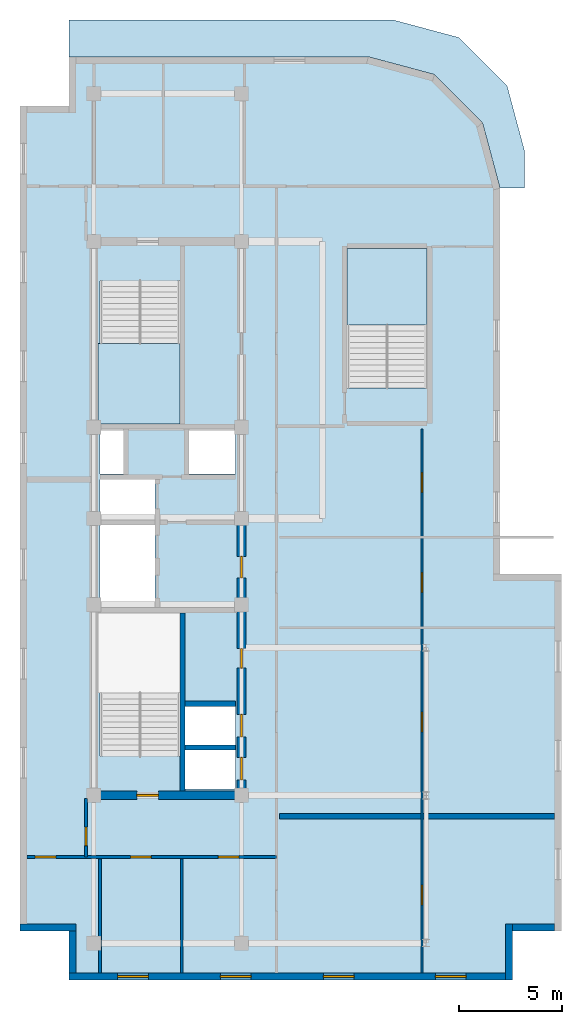
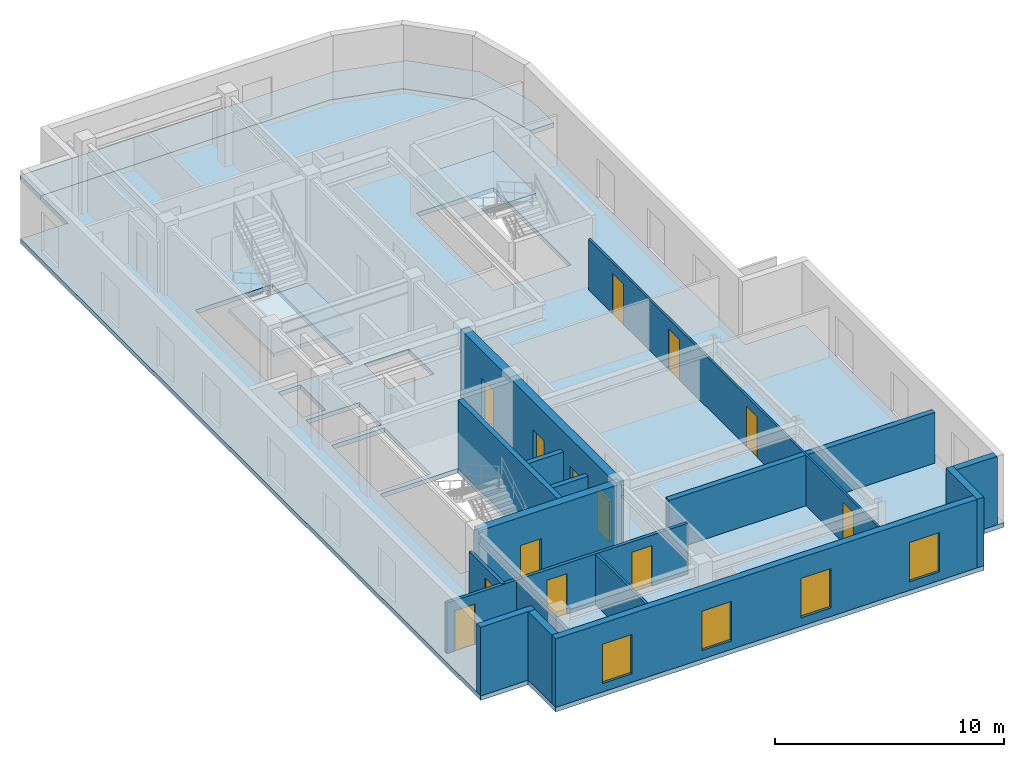
# One storey, part 2 of 5: 16 walls, 13 doors, 4 slabs, 4 windows, 17 openings, 2 elements without a shape of their own.
"""IFC4 building model written with IfcOpenShell, lengths in metres."""

import ifcopenshell
import ifcopenshell.guid

model = None  # the IFC model being written
_history = None  # IfcOwnerHistory: only IFC2X3 demands one
_inside = {}  # id of a spatial element -> (the spatial element, [elements in it])
_under = {}  # id of a project, library or spatial element -> (it, [spatial elements below it])
_declared = {}  # id of a project -> (the project, [libraries it declares])
_typed = {}  # id of a type object -> (the type object, [elements of that type])
_made_of = {}  # id of a material, layer set ... -> (it, [elements and type objects made of it])


def new_model(schema):
    """Start an empty IFC model of exactly this schema.

    Asked for "IFC4X3", IfcOpenShell would pick the latest addendum, in which some entities
    have other attributes; the version numbers below select the first issue.
    IFC2X3 requires an IfcOwnerHistory on every rooted entity: one is made here for all.
    """
    global model, _history
    if schema == "IFC4X3":
        model = ifcopenshell.file(schema_version=(4, 3, 0, 0))
    else:
        model = ifcopenshell.file(schema=schema)
    _inside.clear()
    _under.clear()
    _declared.clear()
    _typed.clear()
    _made_of.clear()
    _history = None
    if model.schema == "IFC2X3":
        org = make("IfcOrganization", Name="unknown")
        user = make(
            "IfcPersonAndOrganization",
            ThePerson=make("IfcPerson", FamilyName="unknown"),
            TheOrganization=org,
        )
        app = make(
            "IfcApplication",
            ApplicationDeveloper=org,
            Version="unknown",
            ApplicationFullName="unknown",
            ApplicationIdentifier="unknown",
        )
        _history = make(
            "IfcOwnerHistory",
            OwningUser=user,
            OwningApplication=app,
            ChangeAction="ADDED",
            CreationDate=0,
        )
    return model


def make(cls, **values):
    """One entity of the class cls with the attributes given. An attribute that is None is left unset."""
    return model.create_entity(
        cls, **{name: value for name, value in values.items() if value is not None}
    )


def entity(cls, *values):
    """Any entity or typed value of the class cls, its attributes in the order of the schema. None: left unset."""
    e = model.create_entity(cls)
    for i, value in enumerate(values):
        if value is not None:
            e[i] = value
    return e


def rooted(cls, **values):
    """An entity with a GlobalId (a new one), such as an element, a storey or a relation."""
    return make(cls, GlobalId=ifcopenshell.guid.new(), OwnerHistory=_history, **values)


def si_unit(unit_type, name, prefix=None):
    """IfcSIUnit, for example si_unit("LENGTHUNIT", "METRE", prefix="MILLI")."""
    return make("IfcSIUnit", UnitType=unit_type, Prefix=prefix, Name=name)


def converted_unit(unit_type, name, factor, base, dimensions=None, offset=None):
    """IfcConversionBasedUnit, such as the inch: factor (a typed value) times the base unit."""
    return make(
        "IfcConversionBasedUnit"
        if offset is None
        else "IfcConversionBasedUnitWithOffset",
        ConversionOffset=offset,
        Dimensions=None
        if dimensions is None
        else entity("IfcDimensionalExponents", *dimensions),
        UnitType=unit_type,
        Name=name,
        ConversionFactor=make(
            "IfcMeasureWithUnit", ValueComponent=factor, UnitComponent=base
        ),
    )


def assignment(units):
    """IfcUnitAssignment: the units of a project."""
    return None if units is None else make("IfcUnitAssignment", Units=units)


def point(xyz):
    """IfcCartesianPoint."""
    return None if xyz is None else make("IfcCartesianPoint", Coordinates=xyz)


def direction(xyz):
    """IfcDirection."""
    return None if xyz is None else make("IfcDirection", DirectionRatios=xyz)


def frame(location, z_axis=None, x_axis=None):
    """IfcAxis2Placement3D, a coordinate frame: its origin and axes. An axis left out is left unset."""
    return make(
        "IfcAxis2Placement3D",
        Location=point(location),
        Axis=direction(z_axis),
        RefDirection=direction(x_axis),
    )


def frame_2d(location, x_axis=None):
    """IfcAxis2Placement2D, a coordinate frame in the plane: its origin and x axis."""
    return make(
        "IfcAxis2Placement2D", Location=point(location), RefDirection=direction(x_axis)
    )


def origin_with_axes():
    """The frame at (0, 0, 0) with the z axis (0, 0, 1) and the x axis (1, 0, 0) written out."""
    return frame((0.0, 0.0, 0.0), z_axis=(0.0, 0.0, 1.0), x_axis=(1.0, 0.0, 0.0))


def origin_2d_with_axis():
    """The frame at (0, 0) in the plane with the x axis (1, 0) written out."""
    return frame_2d((0.0, 0.0), x_axis=(1.0, 0.0))


def place(relative_to, where):
    """IfcLocalPlacement: puts the frame where relative to a parent placement (None: the world)."""
    return make(
        "IfcLocalPlacement", PlacementRelTo=relative_to, RelativePlacement=where
    )


def context(
    kind, dimensions, precision=None, world=None, true_north=None, identifier=None
):
    """IfcGeometricRepresentationContext, for example the 3D "Model" context."""
    return make(
        "IfcGeometricRepresentationContext",
        ContextIdentifier=identifier,
        ContextType=kind,
        CoordinateSpaceDimension=dimensions,
        Precision=precision,
        WorldCoordinateSystem=world,
        TrueNorth=true_north,
    )


def subcontext(parent, identifier, kind, view, scale=None):
    """IfcGeometricRepresentationSubContext, for example "Body" below "Model"."""
    return make(
        "IfcGeometricRepresentationSubContext",
        ContextIdentifier=identifier,
        ContextType=kind,
        ParentContext=parent,
        TargetScale=scale,
        TargetView=view,
    )


def project(units=None, contexts=None):
    """IfcProject with its units and contexts."""
    return rooted(
        "IfcProject",
        Name="project",
        RepresentationContexts=contexts,
        UnitsInContext=assignment(units),
    )


def spatial(cls, under=None, at=None, **own):
    """A site, building, storey or space (cls), placed at a placement, below another one or the project."""
    s = rooted(cls, ObjectPlacement=at, **own)
    if under is not None:
        _under.setdefault(under.id(), (under, []))[1].append(s)
    return s


def polyline(points):
    """IfcPolyline through the points."""
    return make("IfcPolyline", Points=[point(p) for p in points])


def profile(cls, at=None, kind="AREA", **sizes):
    """A parametric profile (cls). Its sizes go by their IFC names, for example OverallWidth=200.0."""
    return make(cls, ProfileType=kind, Position=at, **sizes)


def rectangle(**sizes):
    """IfcRectangleProfileDef."""
    return profile("IfcRectangleProfileDef", **sizes)


def outline(outer, holes=None, kind="AREA"):
    """IfcArbitraryClosedProfileDef: a profile drawn as a closed curve; with holes, ...WithVoids."""
    if holes is None:
        return make("IfcArbitraryClosedProfileDef", ProfileType=kind, OuterCurve=outer)
    return make(
        "IfcArbitraryProfileDefWithVoids",
        ProfileType=kind,
        OuterCurve=outer,
        InnerCurves=holes,
    )


def extrude(swept, where, along, depth):
    """IfcExtrudedAreaSolid: the profile swept, set in the frame where, extruded along a direction by depth."""
    return make(
        "IfcExtrudedAreaSolid",
        SweptArea=swept,
        Position=where,
        ExtrudedDirection=direction(along),
        Depth=depth,
    )


def shape(context_of_items, identifier, shape_type, items):
    """IfcShapeRepresentation: the items that make up one representation, for example the "Body"."""
    return make(
        "IfcShapeRepresentation",
        ContextOfItems=context_of_items,
        RepresentationIdentifier=identifier,
        RepresentationType=shape_type,
        Items=items,
    )


def material(Name=None, Category=None):
    """IfcMaterial."""
    return make("IfcMaterial", Name=Name, Category=Category)


def layer(
    of_material, thickness, ventilated=None, Name=None, Category=None, Priority=None
):
    """IfcMaterialLayer: one layer of a wall or slab, of a material (None: an air gap)."""
    return make(
        "IfcMaterialLayer",
        Material=of_material,
        LayerThickness=thickness,
        IsVentilated=ventilated,
        Name=Name,
        Category=Category,
        Priority=Priority,
    )


def layer_set(layers, Name=None):
    """IfcMaterialLayerSet."""
    return make("IfcMaterialLayerSet", MaterialLayers=layers, LayerSetName=Name)


def made_of(thing, what):
    """Note that an element or type object is made of a material, layer set ...; save() writes the relation."""
    if what is not None:
        _made_of.setdefault(what.id(), (what, []))[1].append(thing)
    return thing


def type_object(cls, material=None, **own):
    """A type object (cls), such as IfcWallType, which elements share."""
    return made_of(rooted(cls, **own), material)


def element(
    cls,
    number,
    at=None,
    inside=None,
    cuts=None,
    type_object=None,
    material=None,
    context=None,
    identifier="Body",
    shape_type=None,
    held_by="IfcProductDefinitionShape",
    body=None,
    shapes=None,
    **own,
):
    """One element of the class cls, such as IfcWall. Its Tag is "e" and its number.

    at: its placement. inside: the storey or other place that contains it. cuts: it is an
    opening in that element (IfcRelVoidsElement). A single representation is given by context,
    identifier, shape_type and body (its items); several are given by shapes. held_by: the class
    of the entity that holds the representations. save() writes the other relations.
    """
    e = rooted(cls, Tag="e%d" % number, ObjectPlacement=at, **own)
    if body is not None:
        shapes = [shape(context, identifier, shape_type, body)]
    if shapes is not None:
        e.Representation = make(held_by, Representations=shapes)
    if inside is not None:
        _inside.setdefault(inside.id(), (inside, []))[1].append(e)
    if cuts is not None:
        rooted(
            "IfcRelVoidsElement", RelatingBuildingElement=cuts, RelatedOpeningElement=e
        )
    if type_object is not None:
        _typed.setdefault(type_object.id(), (type_object, []))[1].append(e)
    return made_of(e, material)


def fill(opening, filler):
    """IfcRelFillsElement: the door or window that sits in an opening."""
    return rooted(
        "IfcRelFillsElement",
        RelatingOpeningElement=opening,
        RelatedBuildingElement=filler,
    )


def aggregate(whole, parts):
    """IfcRelAggregates: a whole, such as a stair, and the parts it consists of."""
    return rooted("IfcRelAggregates", RelatingObject=whole, RelatedObjects=parts)


def save(model, path):
    """Write the relations noted so far, then the file.

    IfcRelAggregates (storeys below a building ...), IfcRelContainedInSpatialStructure (elements
    in a storey), IfcRelDefinesByType, IfcRelAssociatesMaterial and IfcRelDeclares: one each for
    every whole, place, type object, material and project.
    """
    for whole, parts in _under.values():
        aggregate(whole, parts)
    for where, things in _inside.values():
        rooted(
            "IfcRelContainedInSpatialStructure",
            RelatedElements=things,
            RelatingStructure=where,
        )
    for kind, things in _typed.values():
        rooted("IfcRelDefinesByType", RelatedObjects=things, RelatingType=kind)
    for what, things in _made_of.values():
        rooted("IfcRelAssociatesMaterial", RelatedObjects=things, RelatingMaterial=what)
    for by, libraries in _declared.values():
        rooted("IfcRelDeclares", RelatingContext=by, RelatedDefinitions=libraries)
    model.write(path)


model = new_model("IFC4")

# Units and contexts
model_context = context("Model", 3, precision=1e-05, world=origin_with_axes(), true_north=direction((0.0, 1.0)))
body_context = subcontext(model_context, "Body", "Model", "MODEL_VIEW")
ifc_project = project(units=[si_unit("LENGTHUNIT", "METRE"), si_unit("AREAUNIT", "SQUARE_METRE"), si_unit("VOLUMEUNIT", "CUBIC_METRE"), converted_unit("PLANEANGLEUNIT", "DEGREE", entity("IfcPlaneAngleMeasure", 0.017453292519943295), si_unit("PLANEANGLEUNIT", "RADIAN"), dimensions=[0, 0, 0, 0, 0, 0, 0]), si_unit("MASSUNIT", "GRAM", prefix="KILO"), si_unit("THERMODYNAMICTEMPERATUREUNIT", "KELVIN")], contexts=[model_context])

# Site, building, storey
site_placement = place(None, origin_with_axes())
site = spatial("IfcSite", under=ifc_project, at=site_placement, CompositionType="ELEMENT")
building_placement = place(site_placement, origin_with_axes())
building = spatial("IfcBuilding", under=site, at=building_placement, Name="Varnlund Millrace Tower", CompositionType="ELEMENT")
storey_placement = place(building_placement, frame((0.0, 0.0, 295.8), z_axis=(0.0, 0.0, 1.0), x_axis=(1.0, 0.0, 0.0)))
storey = spatial("IfcBuildingStorey", under=building, at=storey_placement, Name="L73", CompositionType="ELEMENT", Elevation=295.8)

# Slabs
ifc_material_1 = material(Name="Concrete C50/60", Category="concrete")
ifc_layer_1 = layer(ifc_material_1, 0.24, Name="Concrete C50/60")
ifc_layer_set_1 = layer_set([ifc_layer_1], Name="Concrete C50/60")
slab_type_1 = type_object("IfcSlabType", Name="Type-Cap-Deck-Setback-240", PredefinedType="ROOF", material=ifc_layer_set_1)
slab_1_placement = place(storey_placement, frame((0.0, 0.0, -0.24), z_axis=(0.0, 0.0, 1.0), x_axis=(1.0, 0.0, 0.0)))
element("IfcSlab", 1, at=slab_1_placement, inside=storey, type_object=slab_type_1, Name="Type-Cap-Deck-Setback-240", PredefinedType="ROOF", context=body_context, shape_type="SweptSolid", body=[
    extrude(outline(polyline([(26.0, 48.6), (10.2, 48.6), (10.2, 46.8), (24.8, 46.8), (28.0, 45.943), (30.343, 43.6), (31.2, 40.4), (32.4, 40.4), (32.4, 42.2), (31.543, 45.4), (29.2, 47.743), (26.0, 48.6)])), origin_with_axes(), (0.0, 0.0, 1.0), 0.24),
])
ifc_material_2 = material(Name="Concrete C60/75", Category="concrete")
ifc_layer_2 = layer(ifc_material_2, 0.24, Name="Concrete C60/75")
ifc_layer_set_2 = layer_set([ifc_layer_2], Name="Concrete C60/75")
slab_type_2 = type_object("IfcSlabType", Name="Type-Deck-Plate-Typical-240", PredefinedType="FLOOR", material=ifc_layer_set_2)
slab_2_placement = place(storey_placement, frame((0.0, 0.0, -0.24), z_axis=(0.0, 0.0, 1.0), x_axis=(1.0, 0.0, 0.0)))
element("IfcSlab", 2, at=slab_2_placement, inside=storey, type_object=slab_type_2, Name="Type-Deck-Plate-Typical-240", PredefinedType="FLOOR", context=body_context, shape_type="SweptSolid", body=[
    extrude(outline(polyline([(34.2, 21.6), (31.2, 21.6), (31.2, 40.4), (30.343, 43.6), (28.0, 45.943), (24.8, 46.8), (10.2, 46.8), (10.2, 44.4), (7.8, 44.4), (7.8, 4.2), (10.2, 4.2), (10.2, 1.8), (31.8, 1.8), (31.8, 4.2), (34.2, 4.2), (34.2, 21.6)]), holes=[polyline([(18.3, 13.1), (18.3, 11.1), (15.84, 11.1), (15.84, 13.1), (18.3, 13.1)]), polyline([(18.3, 15.24), (18.3, 13.16), (15.84, 13.16), (15.84, 15.24), (18.3, 15.24)]), polyline([(15.6, 19.7), (15.6, 12.715), (11.7, 12.715), (11.7, 19.7), (15.6, 19.7)]), polyline([(11.7, 23.98), (14.38, 23.98), (14.38, 19.94), (11.7, 19.94), (11.7, 23.98)]), polyline([(14.38, 26.2), (14.38, 24.24), (11.7, 24.24), (11.7, 26.2), (14.38, 26.2)]), polyline([(12.84, 28.65), (12.84, 26.46), (11.7, 26.46), (11.7, 28.65), (12.84, 28.65)]), polyline([(18.3, 28.65), (18.3, 26.46), (16.04, 26.46), (16.04, 28.65), (18.3, 28.65)]), polyline([(15.6, 28.9), (11.7, 28.9), (11.7, 35.885), (15.6, 35.885), (15.6, 28.9)]), polyline([(27.65, 30.665), (23.75, 30.665), (23.75, 37.45), (27.65, 37.45), (27.65, 30.665)])]), origin_with_axes(), (0.0, 0.0, 1.0), 0.24),
])

# Stair, slab
stair_type = type_object("IfcStairType", Name="Type-Stair-Dogleg-185-390", PredefinedType="HALF_TURN_STAIR", material=ifc_material_1)
stair_1_placement = place(storey_placement, origin_with_axes())
stair_1 = element("IfcStair", 3, at=stair_1_placement, inside=storey, type_object=stair_type, Name="Type-Stair-Dogleg-185-390", PredefinedType="HALF_TURN_STAIR")
ifc_layer_3 = layer(ifc_material_1, 0.2, Name="Concrete C50/60")
ifc_layer_set_3 = layer_set([ifc_layer_3], Name="Concrete C50/60")
slab_type_3 = type_object("IfcSlabType", Name="Type-StairLanding-200", PredefinedType="LANDING", material=ifc_layer_set_3)
slab_3_placement = place(storey_placement, frame((0.0, 0.0, 1.75), z_axis=(0.0, 0.0, 1.0), x_axis=(1.0, 0.0, 0.0)))
slab_3 = element("IfcSlab", 4, at=slab_3_placement, type_object=slab_type_3, Name="ST-A2 landing 1", PredefinedType="LANDING", context=body_context, shape_type="SweptSolid", body=[
    extrude(outline(polyline([(11.61, 32.82), (11.61, 28.9), (15.6, 28.9), (15.6, 32.82), (11.61, 32.82)])), origin_with_axes(), (0.0, 0.0, 1.0), 0.2),
])
aggregate(stair_1, [slab_3])

stair_2_placement = place(storey_placement, origin_with_axes())
stair_2 = element("IfcStair", 5, at=stair_2_placement, inside=storey, type_object=stair_type, Name="Type-Stair-Dogleg-185-390", PredefinedType="HALF_TURN_STAIR")
slab_4_placement = place(storey_placement, frame((0.0, 0.0, 1.75), z_axis=(0.0, 0.0, 1.0), x_axis=(1.0, 0.0, 0.0)))
slab_4 = element("IfcSlab", 6, at=slab_4_placement, type_object=slab_type_3, Name="ST-A3 landing 1", PredefinedType="LANDING", context=body_context, shape_type="SweptSolid", body=[
    extrude(outline(polyline([(27.65, 33.73), (27.65, 37.45), (23.75, 37.45), (23.75, 33.73), (27.65, 33.73)])), origin_with_axes(), (0.0, 0.0, 1.0), 0.2),
])
aggregate(stair_2, [slab_4])

# Wall, opening, door
ifc_layer_4 = layer(ifc_material_2, 0.42, Name="Concrete C60/75")
ifc_layer_set_4 = layer_set([ifc_layer_4], Name="Concrete C60/75")
wall_type_1 = type_object("IfcWallType", Name="Type-CoreWall-Shear-420-C60", PredefinedType="SHEAR", material=ifc_layer_set_4)
wall_1_placement = place(storey_placement, frame((11.4, 10.8, 0.0), z_axis=(0.0, 0.0, 1.0), x_axis=(1.0, 0.0, 0.0)))
wall_1 = element("IfcWall", 7, at=wall_1_placement, inside=storey, type_object=wall_type_1, Name="Type-CoreWall-Shear-420-C60", PredefinedType="SHEAR", context=body_context, shape_type="SweptSolid", body=[
    extrude(outline(polyline([(0.0, -0.21), (7.2, -0.21), (7.2, 0.21), (0.0, 0.21), (0.0, -0.21)])), origin_with_axes(), (0.0, 0.0, 1.0), 3.66),
])
opening_1_placement = place(wall_1_placement, frame((2.625, 0.0, 0.0), z_axis=(0.0, 0.0, 1.0), x_axis=(1.0, 0.0, 0.0)))
opening_1 = element("IfcOpeningElement", 8, at=opening_1_placement, cuts=wall_1, Name="Opening L73:DR-STA1", PredefinedType="OPENING", context=body_context, shape_type="SweptSolid", body=[
    extrude(rectangle(XDim=1.05, YDim=0.44, at=origin_2d_with_axis()), origin_with_axes(), (0.0, 0.0, 1.0), 2.15),
])
ifc_material_3 = material(Name="Fire-rated hollow steel door", Category="steel")
door_type_1 = type_object("IfcDoorType", Name="Type-FireDoor-Stair-1050X2150", OperationType="NOTDEFINED", PredefinedType="DOOR", material=ifc_material_3)
door_1_placement = place(wall_1_placement, frame((2.625, 0.0, 0.0), z_axis=(0.0, 0.0, 1.0), x_axis=(1.0, 0.0, 0.0)))
door_1 = element("IfcDoor", 9, at=door_1_placement, inside=storey, type_object=door_type_1, Name="Type-FireDoor-Stair-1050X2150", OperationType="SINGLE_SWING_LEFT", OverallHeight=2.15, OverallWidth=1.05, PredefinedType="DOOR", context=body_context, shape_type="SweptSolid", body=[
    extrude(rectangle(XDim=1.05, YDim=0.09, at=origin_2d_with_axis()), origin_with_axes(), (0.0, 0.0, 1.0), 2.15),
])
fill(opening_1, door_1)

# Wall, openings, doors
wall_2_placement = place(storey_placement, frame((18.6, 10.8, 0.0), z_axis=(0.0, 0.0, 1.0), x_axis=(0.0, 1.0, 0.0)))
wall_2 = element("IfcWall", 10, at=wall_2_placement, inside=storey, type_object=wall_type_1, Name="Type-CoreWall-Shear-420-C60", PredefinedType="SHEAR", context=body_context, shape_type="SweptSolid", body=[
    extrude(outline(polyline([(0.0, -0.21), (13.5, -0.21), (13.5, 0.21), (0.0, 0.21), (0.0, -0.21)])), origin_with_axes(), (0.0, 0.0, 1.0), 3.66),
])
opening_2_placement = place(wall_2_placement, frame((1.3, 0.0, 0.0), z_axis=(0.0, 0.0, 1.0), x_axis=(1.0, 0.0, 0.0)))
opening_2 = element("IfcOpeningElement", 11, at=opening_2_placement, cuts=wall_2, Name="Opening L73:LD-ELV-H1", PredefinedType="OPENING", context=body_context, shape_type="SweptSolid", body=[
    extrude(rectangle(XDim=1.1, YDim=0.44, at=origin_2d_with_axis()), origin_with_axes(), (0.0, 0.0, 1.0), 2.15),
])
opening_3_placement = place(wall_2_placement, frame((3.4, 0.0, 0.0), z_axis=(0.0, 0.0, 1.0), x_axis=(1.0, 0.0, 0.0)))
opening_3 = element("IfcOpeningElement", 12, at=opening_3_placement, cuts=wall_2, Name="Opening L73:LD-ELV-H2", PredefinedType="OPENING", context=body_context, shape_type="SweptSolid", body=[
    extrude(rectangle(XDim=1.1, YDim=0.44, at=origin_2d_with_axis()), origin_with_axes(), (0.0, 0.0, 1.0), 2.15),
])
opening_4_placement = place(wall_2_placement, frame((11.125, 0.0, 0.0), z_axis=(0.0, 0.0, 1.0), x_axis=(1.0, 0.0, 0.0)))
opening_4 = element("IfcOpeningElement", 13, at=opening_4_placement, cuts=wall_2, Name="Opening L73:DR-FFLOB-A", PredefinedType="OPENING", context=body_context, shape_type="SweptSolid", body=[
    extrude(rectangle(XDim=1.05, YDim=0.44, at=origin_2d_with_axis()), origin_with_axes(), (0.0, 0.0, 1.0), 2.15),
])
opening_5_placement = place(wall_2_placement, frame((6.675, 0.0, 0.0), z_axis=(0.0, 0.0, 1.0), x_axis=(1.0, 0.0, 0.0)))
opening_5 = element("IfcOpeningElement", 14, at=opening_5_placement, cuts=wall_2, Name="Opening L73:DR-RECL-S1AB", PredefinedType="OPENING", context=body_context, shape_type="SweptSolid", body=[
    extrude(rectangle(XDim=0.95, YDim=0.44, at=origin_2d_with_axis()), origin_with_axes(), (0.0, 0.0, 1.0), 2.15),
])
ifc_material_4 = material(Name="Smoke-barrier hollow steel fire door", Category="steel")
door_type_2 = type_object("IfcDoorType", Name="Type-FireDoor-Lobby-1050X2150", OperationType="NOTDEFINED", PredefinedType="DOOR", material=ifc_material_4)
door_2_placement = place(wall_2_placement, frame((11.125, 0.0, 0.0), z_axis=(0.0, 0.0, 1.0), x_axis=(1.0, 0.0, 0.0)))
door_2 = element("IfcDoor", 15, at=door_2_placement, inside=storey, type_object=door_type_2, Name="Type-FireDoor-Lobby-1050X2150", OperationType="SINGLE_SWING_LEFT", OverallHeight=2.15, OverallWidth=1.05, PredefinedType="DOOR", context=body_context, shape_type="SweptSolid", body=[
    extrude(rectangle(XDim=1.05, YDim=0.09, at=origin_2d_with_axis()), origin_with_axes(), (0.0, 0.0, 1.0), 2.15),
])
fill(opening_4, door_2)
ifc_material_5 = material(Name="Fire-rated hollow steel core service door", Category="steel")
door_type_3 = type_object("IfcDoorType", Name="Type-FireDoor-Service-950X2150", OperationType="NOTDEFINED", PredefinedType="DOOR", material=ifc_material_5)
door_3_placement = place(wall_2_placement, frame((6.675, 0.0, 0.0), z_axis=(0.0, 0.0, 1.0), x_axis=(1.0, 0.0, 0.0)))
door_3 = element("IfcDoor", 16, at=door_3_placement, inside=storey, type_object=door_type_3, Name="Type-FireDoor-Service-950X2150", OperationType="SINGLE_SWING_LEFT", OverallHeight=2.15, OverallWidth=0.95, PredefinedType="DOOR", context=body_context, shape_type="SweptSolid", body=[
    extrude(rectangle(XDim=0.95, YDim=0.09, at=origin_2d_with_axis()), origin_with_axes(), (0.0, 0.0, 1.0), 2.15),
])
fill(opening_5, door_3)
ifc_material_6 = material(Name="Stainless and architectural bronze sliding landing door")
door_type_4 = type_object("IfcDoorType", Name="Type-LiftLandingDoor-1100X2150", OperationType="NOTDEFINED", PredefinedType="DOOR", material=ifc_material_6)
door_4_placement = place(wall_2_placement, frame((1.3, 0.0, 0.0), z_axis=(0.0, 0.0, 1.0), x_axis=(1.0, 0.0, 0.0)))
door_4 = element("IfcDoor", 17, at=door_4_placement, inside=storey, type_object=door_type_4, Name="Type-LiftLandingDoor-1100X2150", OperationType="SLIDING_TO_LEFT", OverallHeight=2.15, OverallWidth=1.1, PredefinedType="DOOR", context=body_context, shape_type="SweptSolid", body=[
    extrude(rectangle(XDim=1.1, YDim=0.09, at=origin_2d_with_axis()), origin_with_axes(), (0.0, 0.0, 1.0), 2.15),
])
fill(opening_2, door_4)
door_5_placement = place(wall_2_placement, frame((3.4, 0.0, 0.0), z_axis=(0.0, 0.0, 1.0), x_axis=(1.0, 0.0, 0.0)))
door_5 = element("IfcDoor", 18, at=door_5_placement, inside=storey, type_object=door_type_4, Name="Type-LiftLandingDoor-1100X2150", OperationType="SLIDING_TO_RIGHT", OverallHeight=2.15, OverallWidth=1.1, PredefinedType="DOOR", context=body_context, shape_type="SweptSolid", body=[
    extrude(rectangle(XDim=1.1, YDim=0.09, at=origin_2d_with_axis()), origin_with_axes(), (0.0, 0.0, 1.0), 2.15),
])
fill(opening_3, door_5)

# Walls
ifc_material_7 = material(Name="Precast concrete C50/60", Category="concrete")
ifc_layer_5 = layer(ifc_material_7, 0.34, Name="Precast concrete C50/60")
ifc_layer_set_5 = layer_set([ifc_layer_5], Name="Precast concrete C50/60")
wall_type_2 = type_object("IfcWallType", Name="Type-ExtWall-Precast-Upper-340", PredefinedType="SOLIDWALL", material=ifc_layer_set_5)
wall_3_placement = place(storey_placement, frame((33.86, 4.37, 0.0), z_axis=(0.0, 0.0, 1.0), x_axis=(-1.0, 0.0, 0.0)))
element("IfcWall", 19, at=wall_3_placement, inside=storey, type_object=wall_type_2, Name="Type-ExtWall-Precast-Upper-340", PredefinedType="SOLIDWALL", context=body_context, shape_type="SweptSolid", body=[
    extrude(outline(polyline([(0.0, -0.17), (2.06, -0.17), (2.06, 0.17), (0.0, 0.17), (0.0, -0.17)])), origin_with_axes(), (0.0, 0.0, 1.0), 3.66),
])
wall_4_placement = place(storey_placement, frame((31.63, 4.54, 0.0), z_axis=(0.0, 0.0, 1.0), x_axis=(0.0, -1.0, 0.0)))
element("IfcWall", 20, at=wall_4_placement, inside=storey, type_object=wall_type_2, Name="Type-ExtWall-Precast-Upper-340", PredefinedType="SOLIDWALL", context=body_context, shape_type="SweptSolid", body=[
    extrude(outline(polyline([(0.0, -0.17), (2.74, -0.17), (2.74, 0.17), (0.0, 0.17), (0.0, -0.17)])), origin_with_axes(), (0.0, 0.0, 1.0), 3.66),
])

# Wall, openings, windows
wall_5_placement = place(storey_placement, frame((31.46, 1.97, 0.0), z_axis=(0.0, 0.0, 1.0), x_axis=(-1.0, 0.0, 0.0)))
wall_5 = element("IfcWall", 21, at=wall_5_placement, inside=storey, type_object=wall_type_2, Name="Type-ExtWall-Precast-Upper-340", PredefinedType="SOLIDWALL", context=body_context, shape_type="SweptSolid", body=[
    extrude(outline(polyline([(0.0, -0.17), (21.26, -0.17), (21.26, 0.17), (0.0, 0.17), (0.0, -0.17)])), origin_with_axes(), (0.0, 0.0, 1.0), 3.66),
])
opening_6_placement = place(wall_5_placement, frame((2.658, 0.0, 0.45), z_axis=(0.0, 0.0, 1.0), x_axis=(1.0, 0.0, 0.0)))
opening_6 = element("IfcOpeningElement", 22, at=opening_6_placement, cuts=wall_5, Name="Opening L73:WN-01", PredefinedType="OPENING", context=body_context, shape_type="SweptSolid", body=[
    extrude(rectangle(XDim=1.5, YDim=0.36, at=origin_2d_with_axis()), origin_with_axes(), (0.0, 0.0, 1.0), 2.1),
])
opening_7_placement = place(wall_5_placement, frame((8.123, 0.0, 0.45), z_axis=(0.0, 0.0, 1.0), x_axis=(1.0, 0.0, 0.0)))
opening_7 = element("IfcOpeningElement", 23, at=opening_7_placement, cuts=wall_5, Name="Opening L73:WN-02", PredefinedType="OPENING", context=body_context, shape_type="SweptSolid", body=[
    extrude(rectangle(XDim=1.5, YDim=0.36, at=origin_2d_with_axis()), origin_with_axes(), (0.0, 0.0, 1.0), 2.1),
])
opening_8_placement = place(wall_5_placement, frame((13.138, 0.0, 0.45), z_axis=(0.0, 0.0, 1.0), x_axis=(1.0, 0.0, 0.0)))
opening_8 = element("IfcOpeningElement", 24, at=opening_8_placement, cuts=wall_5, Name="Opening L73:WN-03", PredefinedType="OPENING", context=body_context, shape_type="SweptSolid", body=[
    extrude(rectangle(XDim=1.5, YDim=0.36, at=origin_2d_with_axis()), origin_with_axes(), (0.0, 0.0, 1.0), 2.1),
])
opening_9_placement = place(wall_5_placement, frame((18.153, 0.0, 0.45), z_axis=(0.0, 0.0, 1.0), x_axis=(1.0, 0.0, 0.0)))
opening_9 = element("IfcOpeningElement", 25, at=opening_9_placement, cuts=wall_5, Name="Opening L73:WN-04", PredefinedType="OPENING", context=body_context, shape_type="SweptSolid", body=[
    extrude(rectangle(XDim=1.5, YDim=0.36, at=origin_2d_with_axis()), origin_with_axes(), (0.0, 0.0, 1.0), 2.1),
])
ifc_material_8 = material(Name="Argon low-e triple glazing in thermally broken bronze frame", Category="glass")
window_type = type_object("IfcWindowType", Name="Type-Window-Punched-1500X2100", PartitioningType="SINGLE_PANEL", PredefinedType="WINDOW", material=ifc_material_8)
window_1_placement = place(wall_5_placement, frame((2.658, 0.0, 0.45), z_axis=(0.0, 0.0, 1.0), x_axis=(1.0, 0.0, 0.0)))
window_1 = element("IfcWindow", 26, at=window_1_placement, inside=storey, type_object=window_type, Name="Type-Window-Punched-1500X2100", OverallHeight=2.1, OverallWidth=1.5, PredefinedType="WINDOW", context=body_context, shape_type="SweptSolid", body=[
    extrude(rectangle(XDim=1.5, YDim=0.09, at=origin_2d_with_axis()), origin_with_axes(), (0.0, 0.0, 1.0), 2.1),
])
fill(opening_6, window_1)
window_2_placement = place(wall_5_placement, frame((8.123, 0.0, 0.45), z_axis=(0.0, 0.0, 1.0), x_axis=(1.0, 0.0, 0.0)))
window_2 = element("IfcWindow", 27, at=window_2_placement, inside=storey, type_object=window_type, Name="Type-Window-Punched-1500X2100", OverallHeight=2.1, OverallWidth=1.5, PredefinedType="WINDOW", context=body_context, shape_type="SweptSolid", body=[
    extrude(rectangle(XDim=1.5, YDim=0.09, at=origin_2d_with_axis()), origin_with_axes(), (0.0, 0.0, 1.0), 2.1),
])
fill(opening_7, window_2)
window_3_placement = place(wall_5_placement, frame((13.138, 0.0, 0.45), z_axis=(0.0, 0.0, 1.0), x_axis=(1.0, 0.0, 0.0)))
window_3 = element("IfcWindow", 28, at=window_3_placement, inside=storey, type_object=window_type, Name="Type-Window-Punched-1500X2100", OverallHeight=2.1, OverallWidth=1.5, PredefinedType="WINDOW", context=body_context, shape_type="SweptSolid", body=[
    extrude(rectangle(XDim=1.5, YDim=0.09, at=origin_2d_with_axis()), origin_with_axes(), (0.0, 0.0, 1.0), 2.1),
])
fill(opening_8, window_3)
window_4_placement = place(wall_5_placement, frame((18.153, 0.0, 0.45), z_axis=(0.0, 0.0, 1.0), x_axis=(1.0, 0.0, 0.0)))
window_4 = element("IfcWindow", 29, at=window_4_placement, inside=storey, type_object=window_type, Name="Type-Window-Punched-1500X2100", OverallHeight=2.1, OverallWidth=1.5, PredefinedType="WINDOW", context=body_context, shape_type="SweptSolid", body=[
    extrude(rectangle(XDim=1.5, YDim=0.09, at=origin_2d_with_axis()), origin_with_axes(), (0.0, 0.0, 1.0), 2.1),
])
fill(opening_9, window_4)

# Walls
wall_6_placement = place(storey_placement, frame((10.37, 2.14, 0.0), z_axis=(0.0, 0.0, 1.0), x_axis=(0.0, 1.0, 0.0)))
element("IfcWall", 30, at=wall_6_placement, inside=storey, type_object=wall_type_2, Name="Type-ExtWall-Precast-Upper-340", PredefinedType="SOLIDWALL", context=body_context, shape_type="SweptSolid", body=[
    extrude(outline(polyline([(0.0, -0.17), (2.06, -0.17), (2.06, 0.17), (0.0, 0.17), (0.0, -0.17)])), origin_with_axes(), (0.0, 0.0, 1.0), 3.66),
])
wall_7_placement = place(storey_placement, frame((10.54, 4.37, 0.0), z_axis=(0.0, 0.0, 1.0), x_axis=(-1.0, 0.0, 0.0)))
element("IfcWall", 31, at=wall_7_placement, inside=storey, type_object=wall_type_2, Name="Type-ExtWall-Precast-Upper-340", PredefinedType="SOLIDWALL", context=body_context, shape_type="SweptSolid", body=[
    extrude(outline(polyline([(0.0, -0.17), (2.74, -0.17), (2.74, 0.17), (0.0, 0.17), (0.0, -0.17)])), origin_with_axes(), (0.0, 0.0, 1.0), 3.66),
])
ifc_material_9 = material(Name="Double-stud STC-60 conference acoustic partition", Category="gypsum")
ifc_layer_6 = layer(ifc_material_9, 0.28, Name="Double-stud STC-60 conference acoustic partition")
ifc_layer_set_6 = layer_set([ifc_layer_6], Name="Double-stud STC-60 conference acoustic partition")
wall_type_3 = type_object("IfcWallType", Name="Type-Partition-Acoustic-280", PredefinedType="PARTITIONING", material=ifc_layer_set_6)
wall_8_placement = place(storey_placement, frame((20.45, 9.778, 0.0), z_axis=(0.0, 0.0, 1.0), x_axis=(1.0, 0.0, 0.0)))
element("IfcWall", 32, at=wall_8_placement, inside=storey, type_object=wall_type_3, Name="Type-Partition-Acoustic-280", PredefinedType="PARTITIONING", context=body_context, shape_type="SweptSolid", body=[
    extrude(outline(polyline([(0.0, -0.14), (13.415, -0.14), (13.415, 0.14), (0.0, 0.14), (0.0, -0.14)])), origin_with_axes(), (0.0, 0.0, 1.0), 2.7),
])

# Wall, openings, doors
ifc_material_10 = material(Name="Fire-rated gypsum board on cold-formed steel framing", Category="steel")
ifc_layer_7 = layer(ifc_material_10, 0.16, Name="Fire-rated gypsum board on cold-formed steel framing")
ifc_layer_set_7 = layer_set([ifc_layer_7], Name="Fire-rated gypsum board on cold-formed steel framing")
wall_type_4 = type_object("IfcWallType", Name="Type-Partition-Corridor-160", PredefinedType="PARTITIONING", material=ifc_layer_set_7)
wall_9_placement = place(storey_placement, frame((8.135, 7.8, 0.0), z_axis=(0.0, 0.0, 1.0), x_axis=(1.0, 0.0, 0.0)))
wall_9 = element("IfcWall", 33, at=wall_9_placement, inside=storey, type_object=wall_type_4, Name="Type-Partition-Corridor-160", PredefinedType="PARTITIONING", context=body_context, shape_type="SweptSolid", body=[
    extrude(outline(polyline([(0.0, -0.08), (12.165, -0.08), (12.165, 0.08), (0.0, 0.08), (0.0, -0.08)])), origin_with_axes(), (0.0, 0.0, 1.0), 2.7),
])
opening_10_placement = place(wall_9_placement, frame((0.908, 0.0, 0.0), z_axis=(0.0, 0.0, 1.0), x_axis=(1.0, 0.0, 0.0)))
opening_10 = element("IfcOpeningElement", 34, at=opening_10_placement, cuts=wall_9, Name="Opening L73:DR-WAS-01", PredefinedType="OPENING", context=body_context, shape_type="SweptSolid", body=[
    extrude(rectangle(XDim=1.0, YDim=0.18, at=origin_2d_with_axis()), origin_with_axes(), (0.0, 0.0, 1.0), 2.15),
])
opening_11_placement = place(wall_9_placement, frame((5.5555, 0.0, 0.0), z_axis=(0.0, 0.0, 1.0), x_axis=(1.0, 0.0, 0.0)))
opening_11 = element("IfcOpeningElement", 35, at=opening_11_placement, cuts=wall_9, Name="Opening L73:DR-WAS-02", PredefinedType="OPENING", context=body_context, shape_type="SweptSolid", body=[
    extrude(rectangle(XDim=1.0, YDim=0.18, at=origin_2d_with_axis()), origin_with_axes(), (0.0, 0.0, 1.0), 2.15),
])
opening_12_placement = place(wall_9_placement, frame((9.8325, 0.0, 0.0), z_axis=(0.0, 0.0, 1.0), x_axis=(1.0, 0.0, 0.0)))
opening_12 = element("IfcOpeningElement", 36, at=opening_12_placement, cuts=wall_9, Name="Opening L73:DR-WAS-03", PredefinedType="OPENING", context=body_context, shape_type="SweptSolid", body=[
    extrude(rectangle(XDim=1.0, YDim=0.18, at=origin_2d_with_axis()), origin_with_axes(), (0.0, 0.0, 1.0), 2.15),
])
ifc_material_11 = material(Name="Solid-core white oak and bronze frame door")
door_type_5 = type_object("IfcDoorType", Name="Type-IntDoor-Office-1000X2150", OperationType="NOTDEFINED", PredefinedType="DOOR", material=ifc_material_11)
door_6_placement = place(wall_9_placement, frame((0.908, 0.0, 0.0), z_axis=(0.0, 0.0, 1.0), x_axis=(1.0, 0.0, 0.0)))
door_6 = element("IfcDoor", 37, at=door_6_placement, inside=storey, type_object=door_type_5, Name="Type-IntDoor-Office-1000X2150", OperationType="SINGLE_SWING_LEFT", OverallHeight=2.15, OverallWidth=1.0, PredefinedType="DOOR", context=body_context, shape_type="SweptSolid", body=[
    extrude(rectangle(XDim=1.0, YDim=0.09, at=origin_2d_with_axis()), origin_with_axes(), (0.0, 0.0, 1.0), 2.15),
])
fill(opening_10, door_6)
door_7_placement = place(wall_9_placement, frame((5.5555, 0.0, 0.0), z_axis=(0.0, 0.0, 1.0), x_axis=(1.0, 0.0, 0.0)))
door_7 = element("IfcDoor", 38, at=door_7_placement, inside=storey, type_object=door_type_5, Name="Type-IntDoor-Office-1000X2150", OperationType="SINGLE_SWING_RIGHT", OverallHeight=2.15, OverallWidth=1.0, PredefinedType="DOOR", context=body_context, shape_type="SweptSolid", body=[
    extrude(rectangle(XDim=1.0, YDim=0.09, at=origin_2d_with_axis()), origin_with_axes(), (0.0, 0.0, 1.0), 2.15),
])
fill(opening_11, door_7)
door_8_placement = place(wall_9_placement, frame((9.8325, 0.0, 0.0), z_axis=(0.0, 0.0, 1.0), x_axis=(1.0, 0.0, 0.0)))
door_8 = element("IfcDoor", 39, at=door_8_placement, inside=storey, type_object=door_type_5, Name="Type-IntDoor-Office-1000X2150", OperationType="SINGLE_SWING_LEFT", OverallHeight=2.15, OverallWidth=1.0, PredefinedType="DOOR", context=body_context, shape_type="SweptSolid", body=[
    extrude(rectangle(XDim=1.0, YDim=0.09, at=origin_2d_with_axis()), origin_with_axes(), (0.0, 0.0, 1.0), 2.15),
])
fill(opening_12, door_8)

# Wall, opening, door
wall_10_placement = place(storey_placement, frame((11.02, 7.8, 0.0), z_axis=(0.0, 0.0, 1.0), x_axis=(0.0, 1.0, 0.0)))
wall_10 = element("IfcWall", 40, at=wall_10_placement, inside=storey, type_object=wall_type_4, Name="Type-Partition-Corridor-160", PredefinedType="PARTITIONING", context=body_context, shape_type="SweptSolid", body=[
    extrude(outline(polyline([(0.0, -0.08), (2.85, -0.08), (2.85, 0.08), (0.0, 0.08), (0.0, -0.08)])), origin_with_axes(), (0.0, 0.0, 1.0), 2.7),
])
opening_13_placement = place(wall_10_placement, frame((1.0, 0.0, 0.0), z_axis=(0.0, 0.0, 1.0), x_axis=(1.0, 0.0, 0.0)))
opening_13 = element("IfcOpeningElement", 41, at=opening_13_placement, cuts=wall_10, Name="Opening L73:DR-WU-S1", PredefinedType="OPENING", context=body_context, shape_type="SweptSolid", body=[
    extrude(rectangle(XDim=0.9, YDim=0.18, at=origin_2d_with_axis()), origin_with_axes(), (0.0, 0.0, 1.0), 2.15),
])
ifc_material_12 = material(Name="Painted steel riser and closet door", Category="steel")
door_type_6 = type_object("IfcDoorType", Name="Type-IntDoor-Closet-900X2150", OperationType="NOTDEFINED", PredefinedType="DOOR", material=ifc_material_12)
door_9_placement = place(wall_10_placement, frame((1.0, 0.0, 0.0), z_axis=(0.0, 0.0, 1.0), x_axis=(1.0, 0.0, 0.0)))
door_9 = element("IfcDoor", 42, at=door_9_placement, inside=storey, type_object=door_type_6, Name="Type-IntDoor-Closet-900X2150", OperationType="SINGLE_SWING_LEFT", OverallHeight=2.15, OverallWidth=0.9, PredefinedType="DOOR", context=body_context, shape_type="SweptSolid", body=[
    extrude(rectangle(XDim=0.9, YDim=0.09, at=origin_2d_with_axis()), origin_with_axes(), (0.0, 0.0, 1.0), 2.15),
])
fill(opening_13, door_9)

# Wall
ifc_material_13 = material(Name="Acoustic STC-50 gypsum board partition", Category="gypsum")
ifc_layer_8 = layer(ifc_material_13, 0.15, Name="Acoustic STC-50 gypsum board partition")
ifc_layer_set_8 = layer_set([ifc_layer_8], Name="Acoustic STC-50 gypsum board partition")
wall_type_5 = type_object("IfcWallType", Name="Type-Partition-Demising-150", PredefinedType="PARTITIONING", material=ifc_layer_set_8)
wall_11_placement = place(storey_placement, frame((11.696, 2.135, 0.0), z_axis=(0.0, 0.0, 1.0), x_axis=(0.0, 1.0, 0.0)))
element("IfcWall", 43, at=wall_11_placement, inside=storey, type_object=wall_type_5, Name="Type-Partition-Demising-150", PredefinedType="PARTITIONING", context=body_context, shape_type="SweptSolid", body=[
    extrude(outline(polyline([(0.0, -0.075), (5.565, -0.075), (5.565, 0.075), (0.0, 0.075), (0.0, -0.075)])), origin_with_axes(), (0.0, 0.0, 1.0), 2.7),
])

# Wall, openings, doors
ifc_material_14 = material(Name="Architectural bronze and acoustic glass office front", Category="glass")
ifc_layer_9 = layer(ifc_material_14, 0.1, Name="Architectural bronze and acoustic glass office front")
ifc_layer_set_9 = layer_set([ifc_layer_9], Name="Architectural bronze and acoustic glass office front")
wall_type_6 = type_object("IfcWallType", Name="Type-Partition-Glazed-100", PredefinedType="PARTITIONING", material=ifc_layer_set_9)
wall_12_placement = place(storey_placement, frame((27.4, 2.135, 0.0), z_axis=(0.0, 0.0, 1.0), x_axis=(0.0, 1.0, 0.0)))
wall_12 = element("IfcWall", 44, at=wall_12_placement, inside=storey, type_object=wall_type_6, Name="Type-Partition-Glazed-100", PredefinedType="PARTITIONING", context=body_context, shape_type="SweptSolid", body=[
    extrude(outline(polyline([(0.0, -0.05), (26.515, -0.05), (26.515, 0.05), (0.0, 0.05), (0.0, -0.05)])), origin_with_axes(), (0.0, 0.0, 1.0), 2.7),
])
opening_14_placement = place(wall_12_placement, frame((3.809, 0.0, 0.0), z_axis=(0.0, 0.0, 1.0), x_axis=(1.0, 0.0, 0.0)))
opening_14 = element("IfcOpeningElement", 45, at=opening_14_placement, cuts=wall_12, Name="Opening L73:DR-SUM-S01", PredefinedType="OPENING", context=body_context, shape_type="SweptSolid", body=[
    extrude(rectangle(XDim=0.95, YDim=0.12, at=origin_2d_with_axis()), origin_with_axes(), (0.0, 0.0, 1.0), 2.15),
])
opening_15_placement = place(wall_12_placement, frame((12.2355, 0.0, 0.0), z_axis=(0.0, 0.0, 1.0), x_axis=(1.0, 0.0, 0.0)))
opening_15 = element("IfcOpeningElement", 46, at=opening_15_placement, cuts=wall_12, Name="Opening L73:DR-SUM-S02", PredefinedType="OPENING", context=body_context, shape_type="SweptSolid", body=[
    extrude(rectangle(XDim=0.95, YDim=0.12, at=origin_2d_with_axis()), origin_with_axes(), (0.0, 0.0, 1.0), 2.15),
])
opening_16_placement = place(wall_12_placement, frame((19.038, 0.0, 0.0), z_axis=(0.0, 0.0, 1.0), x_axis=(1.0, 0.0, 0.0)))
opening_16 = element("IfcOpeningElement", 47, at=opening_16_placement, cuts=wall_12, Name="Opening L73:DR-SUM-S03", PredefinedType="OPENING", context=body_context, shape_type="SweptSolid", body=[
    extrude(rectangle(XDim=0.95, YDim=0.12, at=origin_2d_with_axis()), origin_with_axes(), (0.0, 0.0, 1.0), 2.15),
])
opening_17_placement = place(wall_12_placement, frame((23.9165, 0.0, 0.0), z_axis=(0.0, 0.0, 1.0), x_axis=(1.0, 0.0, 0.0)))
opening_17 = element("IfcOpeningElement", 48, at=opening_17_placement, cuts=wall_12, Name="Opening L73:DR-SUM-S04", PredefinedType="OPENING", context=body_context, shape_type="SweptSolid", body=[
    extrude(rectangle(XDim=0.95, YDim=0.12, at=origin_2d_with_axis()), origin_with_axes(), (0.0, 0.0, 1.0), 2.15),
])
ifc_material_15 = material(Name="Solid-core acoustic office door")
door_type_7 = type_object("IfcDoorType", Name="Type-IntDoor-Tenant-950X2150", OperationType="NOTDEFINED", PredefinedType="DOOR", material=ifc_material_15)
door_10_placement = place(wall_12_placement, frame((3.809, 0.0, 0.0), z_axis=(0.0, 0.0, 1.0), x_axis=(1.0, 0.0, 0.0)))
door_10 = element("IfcDoor", 49, at=door_10_placement, inside=storey, type_object=door_type_7, Name="Type-IntDoor-Tenant-950X2150", OperationType="SINGLE_SWING_LEFT", OverallHeight=2.15, OverallWidth=0.95, PredefinedType="DOOR", context=body_context, shape_type="SweptSolid", body=[
    extrude(rectangle(XDim=0.95, YDim=0.06, at=origin_2d_with_axis()), origin_with_axes(), (0.0, 0.0, 1.0), 2.15),
])
fill(opening_14, door_10)
door_11_placement = place(wall_12_placement, frame((12.2355, 0.0, 0.0), z_axis=(0.0, 0.0, 1.0), x_axis=(1.0, 0.0, 0.0)))
door_11 = element("IfcDoor", 50, at=door_11_placement, inside=storey, type_object=door_type_7, Name="Type-IntDoor-Tenant-950X2150", OperationType="SINGLE_SWING_LEFT", OverallHeight=2.15, OverallWidth=0.95, PredefinedType="DOOR", context=body_context, shape_type="SweptSolid", body=[
    extrude(rectangle(XDim=0.95, YDim=0.06, at=origin_2d_with_axis()), origin_with_axes(), (0.0, 0.0, 1.0), 2.15),
])
fill(opening_15, door_11)
door_12_placement = place(wall_12_placement, frame((19.038, 0.0, 0.0), z_axis=(0.0, 0.0, 1.0), x_axis=(1.0, 0.0, 0.0)))
door_12 = element("IfcDoor", 51, at=door_12_placement, inside=storey, type_object=door_type_7, Name="Type-IntDoor-Tenant-950X2150", OperationType="SINGLE_SWING_LEFT", OverallHeight=2.15, OverallWidth=0.95, PredefinedType="DOOR", context=body_context, shape_type="SweptSolid", body=[
    extrude(rectangle(XDim=0.95, YDim=0.06, at=origin_2d_with_axis()), origin_with_axes(), (0.0, 0.0, 1.0), 2.15),
])
fill(opening_16, door_12)
door_13_placement = place(wall_12_placement, frame((23.9165, 0.0, 0.0), z_axis=(0.0, 0.0, 1.0), x_axis=(1.0, 0.0, 0.0)))
door_13 = element("IfcDoor", 52, at=door_13_placement, inside=storey, type_object=door_type_7, Name="Type-IntDoor-Tenant-950X2150", OperationType="SINGLE_SWING_LEFT", OverallHeight=2.15, OverallWidth=0.95, PredefinedType="DOOR", context=body_context, shape_type="SweptSolid", body=[
    extrude(rectangle(XDim=0.95, YDim=0.06, at=origin_2d_with_axis()), origin_with_axes(), (0.0, 0.0, 1.0), 2.15),
])
fill(opening_17, door_13)

# Walls
ifc_material_16 = material(Name="Gypsum board tenant partition", Category="gypsum")
ifc_layer_10 = layer(ifc_material_16, 0.125, Name="Gypsum board tenant partition")
ifc_layer_set_10 = layer_set([ifc_layer_10], Name="Gypsum board tenant partition")
wall_type_7 = type_object("IfcWallType", Name="Type-Partition-Tenant-125", PredefinedType="PARTITIONING", material=ifc_layer_set_10)
wall_13_placement = place(storey_placement, frame((15.685, 2.135, 0.0), z_axis=(0.0, 0.0, 1.0), x_axis=(0.0, 1.0, 0.0)))
element("IfcWall", 53, at=wall_13_placement, inside=storey, type_object=wall_type_7, Name="Type-Partition-Tenant-125", PredefinedType="PARTITIONING", context=body_context, shape_type="SweptSolid", body=[
    extrude(outline(polyline([(0.0, -0.0625), (5.565, -0.0625), (5.565, 0.0625), (0.0, 0.0625), (0.0, -0.0625)])), origin_with_axes(), (0.0, 0.0, 1.0), 2.7),
])
ifc_layer_11 = layer(ifc_material_2, 0.25, Name="Concrete C60/75")
ifc_layer_set_11 = layer_set([ifc_layer_11], Name="Concrete C60/75")
wall_type_8 = type_object("IfcWallType", Name="Type-ShaftWall-Fire-250", PredefinedType="SOLIDWALL", material=ifc_layer_set_11)
for number, where, z_axis, x_axis, name in (
    (54, (15.84, 13.13, 0.0), (0.0, 0.0, 1.0), (1.0, 0.0, 0.0), "Type-ShaftWall-Fire-250"),
    (55, (15.84, 15.27, 0.0), (0.0, 0.0, 1.0), (1.0, 0.0, 0.0), "Type-ShaftWall-Fire-250"),
):
    element("IfcWall", number, at=place(storey_placement, frame(where, z_axis=z_axis, x_axis=x_axis)), inside=storey, type_object=wall_type_8, Name=name, PredefinedType="SOLIDWALL", context=body_context, shape_type="SweptSolid", body=[
        extrude(outline(polyline([(0.0, -0.125), (2.46, -0.125), (2.46, 0.125), (0.0, 0.125), (0.0, -0.125)])), origin_with_axes(), (0.0, 0.0, 1.0), 2.7),
    ])
wall_type_9 = type_object("IfcWallType", Name="Type-StairWall-Shear-250", PredefinedType="SHEAR", material=ifc_layer_set_11)
wall_14_placement = place(storey_placement, frame((15.725, 11.01, 0.0), z_axis=(0.0, 0.0, 1.0), x_axis=(0.0, 1.0, 0.0)))
element("IfcWall", 56, at=wall_14_placement, inside=storey, type_object=wall_type_9, Name="Type-StairWall-Shear-250", PredefinedType="SHEAR", context=body_context, shape_type="SweptSolid", body=[
    extrude(outline(polyline([(0.0, -0.125), (8.69, -0.125), (8.69, 0.125), (0.0, 0.125), (0.0, -0.125)])), origin_with_axes(), (0.0, 0.0, 1.0), 3.66),
])

save(model, "model.ifc")
